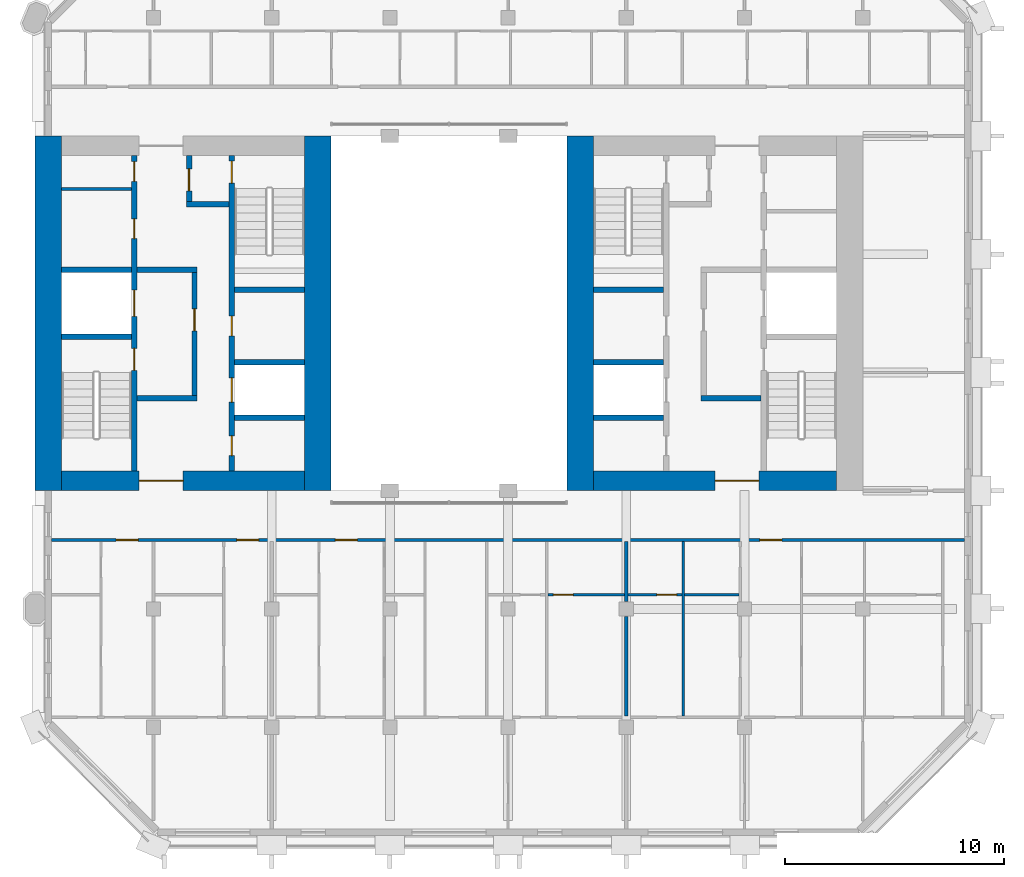
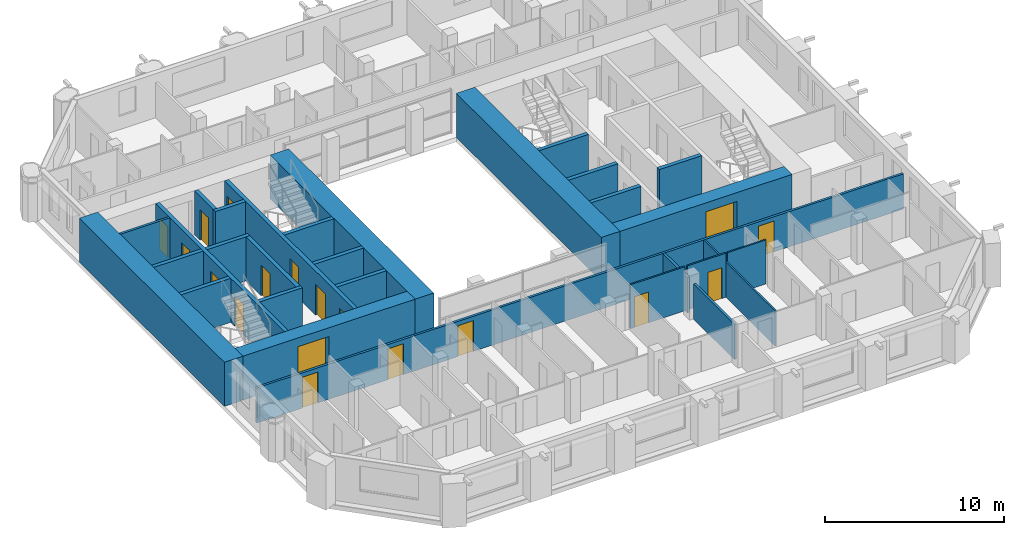
# One storey, part 7 of 14: 29 walls, 18 doors, 18 openings.
"""IFC4 building model written with IfcOpenShell, lengths in metres."""

from ifc_helpers import new_model, si_unit, direction, frame, frame_2d, origin, place, context, subcontext, project, spatial, rectangle, extrude, material, layer, layer_set, type_object, element, fill, save


model = new_model("IFC4")

# Units and contexts
model_context = context("Model", 3, precision=1e-05, world=origin(), true_north=direction((0.0, 1.0)))
body_context = subcontext(model_context, "Body", "Model", "MODEL_VIEW")
ifc_project = project(units=[si_unit("LENGTHUNIT", "METRE"), si_unit("AREAUNIT", "SQUARE_METRE"), si_unit("VOLUMEUNIT", "CUBIC_METRE"), si_unit("PLANEANGLEUNIT", "RADIAN"), si_unit("MASSUNIT", "GRAM", prefix="KILO")], contexts=[model_context])

# Site, building, storey
site_placement = place(None, origin())
site = spatial("IfcSite", under=ifc_project, at=site_placement, CompositionType="ELEMENT")
building_placement = place(site_placement, origin())
building = spatial("IfcBuilding", under=site, at=building_placement, Name="Tabaq Tower and Sports Hall", CompositionType="ELEMENT")
storey_placement = place(building_placement, frame((0.0, 0.0, 285.10009765625)))
storey = spatial("IfcBuildingStorey", under=building, at=storey_placement, Name="L70", CompositionType="ELEMENT", Elevation=285.10009765625)

# Walls
ifc_material_1 = material(Name="Blockwork", Category="masonry")
ifc_layer_1 = layer(ifc_material_1, 0.14990234375)
ifc_layer_set_1 = layer_set([ifc_layer_1], Name="Core room partition 150 Blockwork")
wall_type_1 = type_object("IfcWallType", Name="Core room partition 150 Blockwork", PredefinedType="PARTITIONING", material=ifc_layer_set_1)
wall_1_placement = place(storey_placement, frame((6.60009765625, 29.97705078125, 0.0), z_axis=(0.0, 0.0, 1.0), x_axis=(1.0, 0.0, 0.0)))
element("IfcWall", 1, at=wall_1_placement, inside=storey, type_object=wall_type_1, Name="Core room partition W L70", PredefinedType="PARTITIONING", context=body_context, shape_type="SweptSolid", body=[
    extrude(rectangle(XDim=3.199951171875, YDim=0.14990234375, at=frame_2d((1.60009765625, 0.0))), origin(), (0.0, 0.0, 1.0), 3.0),
])
ifc_material_2 = material(Name="Concrete C40/50", Category="concrete")
ifc_layer_2 = layer(ifc_material_2, 1.199951171875)
ifc_layer_set_2 = layer_set([ifc_layer_2], Name="Core wall 1200 Concrete C40/50")
wall_type_2 = type_object("IfcWallType", Name="Core wall 1200 Concrete C40/50", PredefinedType="SOLIDWALL", material=ifc_layer_set_2)
for number, where, z_axis, x_axis, name in (
    (2, (6.0, 16.199951171875, 0.0), (0.0, 0.0, 1.0), (0.0, 1.0, 0.0), "Core wall W L70"),
    (3, (18.300048828125, 32.39990234375, 0.0), (0.0, 0.0, 1.0), (0.0, -1.0, 0.0), "Core wall W L70"),
    (4, (30.300048828125, 16.199951171875, 0.0), (0.0, 0.0, 1.0), (0.0, 1.0, 0.0), "Core wall E L70"),
):
    element("IfcWall", number, at=place(storey_placement, frame(where, z_axis=z_axis, x_axis=x_axis)), inside=storey, type_object=wall_type_2, Name=name, PredefinedType="SOLIDWALL", context=body_context, shape_type="SweptSolid", body=[
        extrude(rectangle(XDim=16.199951171875, YDim=1.199951171875, at=frame_2d((8.10009765625, 0.0))), origin(), (0.0, 0.0, 1.0), 3.0),
    ])

# Wall, opening, door
ifc_material_3 = material(Name="Concrete C40/50", Category="concrete")
ifc_layer_3 = layer(ifc_material_3, 0.89990234375)
ifc_layer_set_3 = layer_set([ifc_layer_3], Name="Core wall 900 Concrete C40/50")
wall_type_3 = type_object("IfcWallType", Name="Core wall 900 Concrete C40/50", PredefinedType="SOLIDWALL", material=ifc_layer_set_3)
wall_2_placement = place(storey_placement, frame((17.699951171875, 16.64990234375, 0.0), z_axis=(0.0, 0.0, 1.0), x_axis=(-1.0, 0.0, 0.0)))
wall_2 = element("IfcWall", 5, at=wall_2_placement, inside=storey, type_object=wall_type_3, Name="Core wall W L70", PredefinedType="SOLIDWALL", context=body_context, shape_type="SweptSolid", body=[
    extrude(rectangle(XDim=11.099853515625, YDim=0.89990234375, at=frame_2d((5.5498046875, 0.0))), origin(), (0.0, 0.0, 1.0), 3.0),
])
opening_1_placement = place(wall_2_placement, frame((5.550048828125, 0.0, 0.0)))
opening_1 = element("IfcOpeningElement", 6, at=opening_1_placement, cuts=wall_2, Name="Opening PD-WL70-01", PredefinedType="OPENING", context=body_context, shape_type="SweptSolid", body=[
    extrude(rectangle(XDim=2.0, YDim=2.39990234375, at=frame_2d((1.0, 1.199951171875))), frame((0.0, 0.449951171875, 0.0), z_axis=(0.0, -1.0, 0.0), x_axis=(1.0, 0.0, 0.0)), (0.0, 0.0, 1.0), 0.89990234375),
])
ifc_material_4 = material(Name="Steel fire door", Category="steel")
door_type_1 = type_object("IfcDoorType", Name="Core entrance door 2000", OperationType="DOUBLE_DOOR_SINGLE_SWING", PredefinedType="DOOR", material=ifc_material_4)
door_1_placement = place(opening_1_placement, origin())
door_1 = element("IfcDoor", 7, at=door_1_placement, inside=storey, type_object=door_type_1, Name="Core entrance south W L70", OperationType="DOUBLE_DOOR_SINGLE_SWING", OverallHeight=2.39990234375, OverallWidth=2.0, PredefinedType="DOOR", context=body_context, shape_type="SweptSolid", body=[
    extrude(rectangle(XDim=2.0, YDim=2.39990234375, at=frame_2d((1.0, 1.199951171875))), frame((0.0, 0.02490234375, 0.0), z_axis=(0.0, -1.0, 0.0), x_axis=(1.0, 0.0, 0.0)), (0.0, 0.0, 1.0), 0.050048828125),
])
fill(opening_1, door_1)

wall_3_placement = place(storey_placement, frame((42.0, 16.64990234375, 0.0), z_axis=(0.0, 0.0, 1.0), x_axis=(-1.0, 0.0, 0.0)))
wall_3 = element("IfcWall", 8, at=wall_3_placement, inside=storey, type_object=wall_type_3, Name="Core wall E L70", PredefinedType="SOLIDWALL", context=body_context, shape_type="SweptSolid", body=[
    extrude(rectangle(XDim=11.10009765625, YDim=0.89990234375, at=frame_2d((5.550048828125, 0.0))), origin(), (0.0, 0.0, 1.0), 3.0),
])
opening_2_placement = place(wall_3_placement, frame((3.550048828125, 0.0, 0.0)))
opening_2 = element("IfcOpeningElement", 9, at=opening_2_placement, cuts=wall_3, Name="Opening PD-EL70-01", PredefinedType="OPENING", context=body_context, shape_type="SweptSolid", body=[
    extrude(rectangle(XDim=2.0, YDim=2.39990234375, at=frame_2d((1.0, 1.199951171875))), frame((0.0, 0.449951171875, 0.0), z_axis=(0.0, -1.0, 0.0), x_axis=(1.0, 0.0, 0.0)), (0.0, 0.0, 1.0), 0.89990234375),
])
door_2_placement = place(opening_2_placement, origin())
door_2 = element("IfcDoor", 10, at=door_2_placement, inside=storey, type_object=door_type_1, Name="Core entrance south E L70", OperationType="DOUBLE_DOOR_SINGLE_SWING", OverallHeight=2.39990234375, OverallWidth=2.0, PredefinedType="DOOR", context=body_context, shape_type="SweptSolid", body=[
    extrude(rectangle(XDim=2.0, YDim=2.39990234375, at=frame_2d((1.0, 1.199951171875))), frame((0.0, 0.02490234375, 0.0), z_axis=(0.0, -1.0, 0.0), x_axis=(1.0, 0.0, 0.0)), (0.0, 0.0, 1.0), 0.050048828125),
])
fill(opening_2, door_2)

ifc_material_5 = material(Name="Gypsum board on steel studs", Category="steel")
ifc_layer_4 = layer(ifc_material_5, 0.10009765625)
ifc_layer_set_4 = layer_set([ifc_layer_4], Name="Partition 100 Gypsum board")
wall_type_4 = type_object("IfcWallType", Name="Partition 100 Gypsum board", PredefinedType="PARTITIONING", material=ifc_layer_set_4)
wall_4_placement = place(storey_placement, frame((32.324951171875, 11.449951171875, 0.0), z_axis=(0.0, 0.0, 1.0), x_axis=(-1.0, 0.0, 0.0)))
wall_4 = element("IfcWall", 11, at=wall_4_placement, inside=storey, type_object=wall_type_4, Name="Partition wall L70", PredefinedType="PARTITIONING", context=body_context, shape_type="SweptSolid", body=[
    extrude(rectangle(XDim=3.512939453125, YDim=0.10009765625, at=frame_2d((1.75634765625, 0.0))), origin(), (0.0, 0.0, 1.0), 3.0),
])
opening_3_placement = place(wall_4_placement, frame((2.35498046875, 0.0, 0.0)))
opening_3 = element("IfcOpeningElement", 12, at=opening_3_placement, cuts=wall_4, Name="Opening L70-020", PredefinedType="OPENING", context=body_context, shape_type="SweptSolid", body=[
    extrude(rectangle(XDim=0.89990234375, YDim=2.10009765625, at=frame_2d((0.449951171875, 1.050048828125))), frame((0.0, 0.050048828125, 0.0), z_axis=(0.0, -1.0, 0.0), x_axis=(1.0, 0.0, 0.0)), (0.0, 0.0, 1.0), 0.10009765625),
])
ifc_material_6 = material(Name="Timber leaf in steel frame", Category="steel")
door_type_2 = type_object("IfcDoorType", Name="Internal door 900 left hand", OperationType="SINGLE_SWING_LEFT", PredefinedType="DOOR", material=ifc_material_6)
door_3_placement = place(opening_3_placement, origin())
door_3 = element("IfcDoor", 13, at=door_3_placement, inside=storey, type_object=door_type_2, Name="Internal door L70-020", OperationType="SINGLE_SWING_LEFT", OverallHeight=2.10009765625, OverallWidth=0.89990234375, PredefinedType="DOOR", context=body_context, shape_type="SweptSolid", body=[
    extrude(rectangle(XDim=0.89990234375, YDim=2.10009765625, at=frame_2d((0.449951171875, 1.050048828125))), frame((0.0, 0.02490234375, 0.0), z_axis=(0.0, -1.0, 0.0), x_axis=(1.0, 0.0, 0.0)), (0.0, 0.0, 1.0), 0.050048828125),
])
fill(opening_3, door_3)

wall_5_placement = place(storey_placement, frame((34.949951171875, 11.449951171875, 0.0), z_axis=(0.0, 0.0, 1.0), x_axis=(-1.0, 0.0, 0.0)))
wall_5 = element("IfcWall", 14, at=wall_5_placement, inside=storey, type_object=wall_type_4, Name="Partition wall L70", PredefinedType="PARTITIONING", context=body_context, shape_type="SweptSolid", body=[
    extrude(rectangle(XDim=2.474853515625, YDim=0.10009765625, at=frame_2d((1.2373046875, 0.0))), origin(), (0.0, 0.0, 1.0), 3.0),
])
opening_4_placement = place(wall_5_placement, frame((0.25, 0.0, 0.0)))
opening_4 = element("IfcOpeningElement", 15, at=opening_4_placement, cuts=wall_5, Name="Opening L70-021", PredefinedType="OPENING", context=body_context, shape_type="SweptSolid", body=[
    extrude(rectangle(XDim=0.89990234375, YDim=2.10009765625, at=frame_2d((0.449951171875, 1.050048828125))), frame((0.0, 0.050048828125, 0.0), z_axis=(0.0, -1.0, 0.0), x_axis=(1.0, 0.0, 0.0)), (0.0, 0.0, 1.0), 0.10009765625),
])
ifc_material_7 = material(Name="Timber leaf in steel frame", Category="steel")
door_type_3 = type_object("IfcDoorType", Name="Internal door 900 right hand", OperationType="SINGLE_SWING_RIGHT", PredefinedType="DOOR", material=ifc_material_7)
door_4_placement = place(opening_4_placement, origin())
door_4 = element("IfcDoor", 16, at=door_4_placement, inside=storey, type_object=door_type_3, Name="Internal door L70-021", OperationType="SINGLE_SWING_RIGHT", OverallHeight=2.10009765625, OverallWidth=0.89990234375, PredefinedType="DOOR", context=body_context, shape_type="SweptSolid", body=[
    extrude(rectangle(XDim=0.89990234375, YDim=2.10009765625, at=frame_2d((0.449951171875, 1.050048828125))), frame((0.0, 0.02490234375, 0.0), z_axis=(0.0, -1.0, 0.0), x_axis=(1.0, 0.0, 0.0)), (0.0, 0.0, 1.0), 0.050048828125),
])
fill(opening_4, door_4)

# Walls
wall_6_placement = place(storey_placement, frame((35.0, 5.89990234375, 0.0), z_axis=(0.0, 0.0, 1.0), x_axis=(0.0, 1.0, 0.0)))
element("IfcWall", 17, at=wall_6_placement, inside=storey, type_object=wall_type_4, Name="Partition wall L70", PredefinedType="PARTITIONING", context=body_context, shape_type="SweptSolid", body=[
    extrude(rectangle(XDim=7.97509765625, YDim=0.10009765625, at=frame_2d((3.987548828125, 0.0))), origin(), (0.0, 0.0, 1.0), 2.39990234375),
])
wall_7_placement = place(storey_placement, frame((37.552001953125, 11.449951171875, 0.0), z_axis=(0.0, 0.0, 1.0), x_axis=(-1.0, 0.0, 0.0)))
element("IfcWall", 18, at=wall_7_placement, inside=storey, type_object=wall_type_4, Name="Partition wall L70", PredefinedType="PARTITIONING", context=body_context, shape_type="SweptSolid", body=[
    extrude(rectangle(XDim=2.501953125, YDim=0.10009765625, at=frame_2d((1.2509765625, 0.0))), origin(), (0.0, 0.0, 1.0), 3.0),
])
ifc_material_8 = material(Name="Blockwork", Category="masonry")
ifc_layer_5 = layer(ifc_material_8, 0.14990234375)
ifc_layer_set_5 = layer_set([ifc_layer_5], Name="Separating wall 150 Blockwork")
wall_type_5 = type_object("IfcWallType", Name="Separating wall 150 Blockwork", PredefinedType="PARTITIONING", material=ifc_layer_set_5)
wall_8_placement = place(storey_placement, frame((32.39990234375, 5.89990234375, 0.0), z_axis=(0.0, 0.0, 1.0), x_axis=(0.0, 1.0, 0.0)))
element("IfcWall", 19, at=wall_8_placement, inside=storey, type_object=wall_type_5, Name="Separating wall L70", PredefinedType="PARTITIONING", context=body_context, shape_type="SweptSolid", body=[
    extrude(rectangle(XDim=4.55517578125, YDim=0.14990234375, at=frame_2d((2.277587890625, 0.0))), origin(), (0.0, 0.0, 1.0), 2.39990234375),
])
wall_9_placement = place(storey_placement, frame((32.39990234375, 11.14501953125, 0.0), z_axis=(0.0, 0.0, 1.0), x_axis=(0.0, 1.0, 0.0)))
element("IfcWall", 20, at=wall_9_placement, inside=storey, type_object=wall_type_5, Name="Separating wall L70", PredefinedType="PARTITIONING", context=body_context, shape_type="SweptSolid", body=[
    extrude(rectangle(XDim=2.72998046875, YDim=0.14990234375, at=frame_2d((1.364990234375, 0.0))), origin(), (0.0, 0.0, 1.0), 2.39990234375),
])

# Wall, openings, doors
wall_10_placement = place(storey_placement, frame((47.84912109375, 13.949951171875, 0.0), z_axis=(0.0, 0.0, 1.0), x_axis=(-1.0, 0.0, 0.0)))
wall_10 = element("IfcWall", 21, at=wall_10_placement, inside=storey, type_object=wall_type_5, Name="Separating wall L70", PredefinedType="PARTITIONING", context=body_context, shape_type="SweptSolid", body=[
    extrude(rectangle(XDim=41.6982421875, YDim=0.14990234375, at=frame_2d((20.84912109375, 0.0))), origin(), (0.0, 0.0, 1.0), 2.39990234375),
])
opening_5_placement = place(wall_10_placement, frame((37.7490234375, 0.0, 0.0)))
opening_5 = element("IfcOpeningElement", 22, at=opening_5_placement, cuts=wall_10, Name="Opening L70-058", PredefinedType="OPENING", context=body_context, shape_type="SweptSolid", body=[
    extrude(rectangle(XDim=1.0, YDim=2.10009765625, at=frame_2d((0.5, 1.050048828125))), frame((0.0, 0.074951171875, 0.0), z_axis=(0.0, -1.0, 0.0), x_axis=(1.0, 0.0, 0.0)), (0.0, 0.0, 1.0), 0.14990234375),
])
opening_6_placement = place(wall_10_placement, frame((32.243896484375, 0.0, 0.0)))
opening_6 = element("IfcOpeningElement", 23, at=opening_6_placement, cuts=wall_10, Name="Opening L70-059", PredefinedType="OPENING", context=body_context, shape_type="SweptSolid", body=[
    extrude(rectangle(XDim=1.0, YDim=2.10009765625, at=frame_2d((0.5, 1.050048828125))), frame((0.0, 0.074951171875, 0.0), z_axis=(0.0, -1.0, 0.0), x_axis=(1.0, 0.0, 0.0)), (0.0, 0.0, 1.0), 0.14990234375),
])
opening_7_placement = place(wall_10_placement, frame((27.735107421875, 0.0, 0.0)))
opening_7 = element("IfcOpeningElement", 24, at=opening_7_placement, cuts=wall_10, Name="Opening L70-061", PredefinedType="OPENING", context=body_context, shape_type="SweptSolid", body=[
    extrude(rectangle(XDim=1.0, YDim=2.10009765625, at=frame_2d((0.5, 1.050048828125))), frame((0.0, 0.074951171875, 0.0), z_axis=(0.0, -1.0, 0.0), x_axis=(1.0, 0.0, 0.0)), (0.0, 0.0, 1.0), 0.14990234375),
])
opening_8_placement = place(wall_10_placement, frame((8.346923828125, 0.0, 0.0)))
opening_8 = element("IfcOpeningElement", 25, at=opening_8_placement, cuts=wall_10, Name="Opening L70-062", PredefinedType="OPENING", context=body_context, shape_type="SweptSolid", body=[
    extrude(rectangle(XDim=1.0, YDim=2.10009765625, at=frame_2d((0.5, 1.050048828125))), frame((0.0, 0.074951171875, 0.0), z_axis=(0.0, -1.0, 0.0), x_axis=(1.0, 0.0, 0.0)), (0.0, 0.0, 1.0), 0.14990234375),
])
ifc_material_9 = material(Name="Steel fire door", Category="steel")
door_type_4 = type_object("IfcDoorType", Name="Entrance door 1000 left hand", OperationType="SINGLE_SWING_LEFT", PredefinedType="DOOR", material=ifc_material_9)
door_5_placement = place(opening_5_placement, origin())
door_5 = element("IfcDoor", 26, at=door_5_placement, inside=storey, type_object=door_type_4, Name="Entrance door L70-058", OperationType="SINGLE_SWING_LEFT", OverallHeight=2.10009765625, OverallWidth=1.0, PredefinedType="DOOR", context=body_context, shape_type="SweptSolid", body=[
    extrude(rectangle(XDim=1.0, YDim=2.10009765625, at=frame_2d((0.5, 1.050048828125))), frame((0.0, 0.02490234375, 0.0), z_axis=(0.0, -1.0, 0.0), x_axis=(1.0, 0.0, 0.0)), (0.0, 0.0, 1.0), 0.050048828125),
])
fill(opening_5, door_5)
door_6_placement = place(opening_6_placement, origin())
door_6 = element("IfcDoor", 27, at=door_6_placement, inside=storey, type_object=door_type_4, Name="Entrance door L70-059", OperationType="SINGLE_SWING_LEFT", OverallHeight=2.10009765625, OverallWidth=1.0, PredefinedType="DOOR", context=body_context, shape_type="SweptSolid", body=[
    extrude(rectangle(XDim=1.0, YDim=2.10009765625, at=frame_2d((0.5, 1.050048828125))), frame((0.0, 0.02490234375, 0.0), z_axis=(0.0, -1.0, 0.0), x_axis=(1.0, 0.0, 0.0)), (0.0, 0.0, 1.0), 0.050048828125),
])
fill(opening_6, door_6)
door_7_placement = place(opening_8_placement, origin())
door_7 = element("IfcDoor", 28, at=door_7_placement, inside=storey, type_object=door_type_4, Name="Entrance door L70-062", OperationType="SINGLE_SWING_LEFT", OverallHeight=2.10009765625, OverallWidth=1.0, PredefinedType="DOOR", context=body_context, shape_type="SweptSolid", body=[
    extrude(rectangle(XDim=1.0, YDim=2.10009765625, at=frame_2d((0.5, 1.050048828125))), frame((0.0, 0.02490234375, 0.0), z_axis=(0.0, -1.0, 0.0), x_axis=(1.0, 0.0, 0.0)), (0.0, 0.0, 1.0), 0.050048828125),
])
fill(opening_8, door_7)
ifc_material_10 = material(Name="Steel fire door", Category="steel")
door_type_5 = type_object("IfcDoorType", Name="Entrance door 1000 right hand", OperationType="SINGLE_SWING_RIGHT", PredefinedType="DOOR", material=ifc_material_10)
door_8_placement = place(opening_7_placement, origin())
door_8 = element("IfcDoor", 29, at=door_8_placement, inside=storey, type_object=door_type_5, Name="Entrance door L70-061", OperationType="SINGLE_SWING_RIGHT", OverallHeight=2.10009765625, OverallWidth=1.0, PredefinedType="DOOR", context=body_context, shape_type="SweptSolid", body=[
    extrude(rectangle(XDim=1.0, YDim=2.10009765625, at=frame_2d((0.5, 1.050048828125))), frame((0.0, 0.02490234375, 0.0), z_axis=(0.0, -1.0, 0.0), x_axis=(1.0, 0.0, 0.0)), (0.0, 0.0, 1.0), 0.050048828125),
])
fill(opening_7, door_8)

ifc_material_11 = material(Name="Concrete C40/50", Category="concrete")
ifc_layer_6 = layer(ifc_material_11, 0.25)
ifc_layer_set_6 = layer_set([ifc_layer_6], Name="Shaft and stair wall 250 Concrete C40/50")
wall_type_6 = type_object("IfcWallType", Name="Shaft and stair wall 250 Concrete C40/50", PredefinedType="SOLIDWALL", material=ifc_layer_set_6)
wall_11_placement = place(storey_placement, frame((9.925048828125, 17.10009765625, 0.0), z_axis=(0.0, 0.0, 1.0), x_axis=(0.0, 1.0, 0.0)))
wall_11 = element("IfcWall", 30, at=wall_11_placement, inside=storey, type_object=wall_type_6, Name="Shaft wall W L70", PredefinedType="SOLIDWALL", context=body_context, shape_type="SweptSolid", body=[
    extrude(rectangle(XDim=14.39990234375, YDim=0.25, at=frame_2d((7.199951171875, 0.0))), origin(), (0.0, 0.0, 1.0), 3.0),
])
opening_9_placement = place(wall_11_placement, frame((4.60009765625, 0.0, 0.0)))
opening_9 = element("IfcOpeningElement", 31, at=opening_9_placement, cuts=wall_11, Name="Opening SD-WL70-03", PredefinedType="OPENING", context=body_context, shape_type="SweptSolid", body=[
    extrude(rectangle(XDim=1.0, YDim=2.10009765625, at=frame_2d((0.5, 1.050048828125))), frame((0.0, 0.125, 0.0), z_axis=(0.0, -1.0, 0.0), x_axis=(1.0, 0.0, 0.0)), (0.0, 0.0, 1.0), 0.25),
])
opening_10_placement = place(wall_11_placement, frame((7.0625, 0.0, 0.0)))
opening_10 = element("IfcOpeningElement", 32, at=opening_10_placement, cuts=wall_11, Name="Opening LD-FF1-L70", PredefinedType="OPENING", context=body_context, shape_type="SweptSolid", body=[
    extrude(rectangle(XDim=1.199951171875, YDim=2.10009765625, at=frame_2d((0.60009765625, 1.050048828125))), frame((0.0, 0.125, 0.0), z_axis=(0.0, -1.0, 0.0), x_axis=(1.0, 0.0, 0.0)), (0.0, 0.0, 1.0), 0.25),
])
opening_11_placement = place(wall_11_placement, frame((10.613525390625, 0.0, 0.0)))
opening_11 = element("IfcOpeningElement", 33, at=opening_11_placement, cuts=wall_11, Name="Opening RD-WL70-09", PredefinedType="OPENING", context=body_context, shape_type="SweptSolid", body=[
    extrude(rectangle(XDim=0.89990234375, YDim=2.10009765625, at=frame_2d((0.449951171875, 1.050048828125))), frame((0.0, 0.125, 0.0), z_axis=(0.0, -1.0, 0.0), x_axis=(1.0, 0.0, 0.0)), (0.0, 0.0, 1.0), 0.25),
])
opening_12_placement = place(wall_11_placement, frame((13.22607421875, 0.0, 0.0)))
opening_12 = element("IfcOpeningElement", 34, at=opening_12_placement, cuts=wall_11, Name="Opening RD-WL70-10", PredefinedType="OPENING", context=body_context, shape_type="SweptSolid", body=[
    extrude(rectangle(XDim=0.89990234375, YDim=2.10009765625, at=frame_2d((0.449951171875, 1.050048828125))), frame((0.0, 0.125, 0.0), z_axis=(0.0, -1.0, 0.0), x_axis=(1.0, 0.0, 0.0)), (0.0, 0.0, 1.0), 0.25),
])
ifc_material_12 = material(Name="Steel fire door", Category="steel")
door_type_6 = type_object("IfcDoorType", Name="Core room door 900", OperationType="SINGLE_SWING_LEFT", PredefinedType="DOOR", material=ifc_material_12)
door_9_placement = place(opening_11_placement, origin())
door_9 = element("IfcDoor", 35, at=door_9_placement, inside=storey, type_object=door_type_6, Name="Door Comms Room W L70", OperationType="SINGLE_SWING_LEFT", OverallHeight=2.10009765625, OverallWidth=0.89990234375, PredefinedType="DOOR", context=body_context, shape_type="SweptSolid", body=[
    extrude(rectangle(XDim=0.89990234375, YDim=2.10009765625, at=frame_2d((0.449951171875, 1.050048828125))), frame((0.0, 0.02490234375, 0.0), z_axis=(0.0, -1.0, 0.0), x_axis=(1.0, 0.0, 0.0)), (0.0, 0.0, 1.0), 0.050048828125),
])
fill(opening_11, door_9)
door_10_placement = place(opening_12_placement, origin())
door_10 = element("IfcDoor", 36, at=door_10_placement, inside=storey, type_object=door_type_6, Name="Door Electrical Room W L70", OperationType="SINGLE_SWING_LEFT", OverallHeight=2.10009765625, OverallWidth=0.89990234375, PredefinedType="DOOR", context=body_context, shape_type="SweptSolid", body=[
    extrude(rectangle(XDim=0.89990234375, YDim=2.10009765625, at=frame_2d((0.449951171875, 1.050048828125))), frame((0.0, 0.02490234375, 0.0), z_axis=(0.0, -1.0, 0.0), x_axis=(1.0, 0.0, 0.0)), (0.0, 0.0, 1.0), 0.050048828125),
])
fill(opening_12, door_10)
ifc_material_13 = material(Name="Stainless steel", Category="steel")
door_type_7 = type_object("IfcDoorType", Name="Lift landing door 1200", OperationType="DOUBLE_DOOR_SLIDING", PredefinedType="DOOR", material=ifc_material_13)
door_11_placement = place(opening_10_placement, origin())
door_11 = element("IfcDoor", 37, at=door_11_placement, inside=storey, type_object=door_type_7, Name="Lift landing door FF1 W L70", OperationType="DOUBLE_DOOR_SLIDING", OverallHeight=2.10009765625, OverallWidth=1.199951171875, PredefinedType="DOOR", context=body_context, shape_type="SweptSolid", body=[
    extrude(rectangle(XDim=1.199951171875, YDim=2.10009765625, at=frame_2d((0.60009765625, 1.050048828125))), frame((0.0, 0.02490234375, 0.0), z_axis=(0.0, -1.0, 0.0), x_axis=(1.0, 0.0, 0.0)), (0.0, 0.0, 1.0), 0.050048828125),
])
fill(opening_10, door_11)
ifc_material_14 = material(Name="Steel fire door", Category="steel")
door_type_8 = type_object("IfcDoorType", Name="Stair door 1000", OperationType="SINGLE_SWING_LEFT", PredefinedType="DOOR", material=ifc_material_14)
door_12_placement = place(opening_9_placement, origin())
door_12 = element("IfcDoor", 38, at=door_12_placement, inside=storey, type_object=door_type_8, Name="Stair door ST1 W L70", OperationType="SINGLE_SWING_LEFT", OverallHeight=2.10009765625, OverallWidth=1.0, PredefinedType="DOOR", context=body_context, shape_type="SweptSolid", body=[
    extrude(rectangle(XDim=1.0, YDim=2.10009765625, at=frame_2d((0.5, 1.050048828125))), frame((0.0, 0.02490234375, 0.0), z_axis=(0.0, -1.0, 0.0), x_axis=(1.0, 0.0, 0.0)), (0.0, 0.0, 1.0), 0.050048828125),
])
fill(opening_9, door_12)

wall_12_placement = place(storey_placement, frame((14.375, 17.10009765625, 0.0), z_axis=(0.0, 0.0, 1.0), x_axis=(0.0, 1.0, 0.0)))
wall_12 = element("IfcWall", 39, at=wall_12_placement, inside=storey, type_object=wall_type_6, Name="Shaft wall W L70", PredefinedType="SOLIDWALL", context=body_context, shape_type="SweptSolid", body=[
    extrude(rectangle(XDim=14.39990234375, YDim=0.25, at=frame_2d((7.199951171875, 0.0))), origin(), (0.0, 0.0, 1.0), 3.0),
])
opening_13_placement = place(wall_12_placement, frame((13.14990234375, 0.0, 0.0)))
opening_13 = element("IfcOpeningElement", 40, at=opening_13_placement, cuts=wall_12, Name="Opening SD-WL70-05", PredefinedType="OPENING", context=body_context, shape_type="SweptSolid", body=[
    extrude(rectangle(XDim=1.0, YDim=2.10009765625, at=frame_2d((0.5, 1.050048828125))), frame((0.0, 0.125, 0.0), z_axis=(0.0, -1.0, 0.0), x_axis=(1.0, 0.0, 0.0)), (0.0, 0.0, 1.0), 0.25),
])
opening_14_placement = place(wall_12_placement, frame((3.14990234375, 0.0, 0.0)))
opening_14 = element("IfcOpeningElement", 41, at=opening_14_placement, cuts=wall_12, Name="Opening LD-HR1-L70", PredefinedType="OPENING", context=body_context, shape_type="SweptSolid", body=[
    extrude(rectangle(XDim=1.10009765625, YDim=2.10009765625, at=frame_2d((0.550048828125, 1.050048828125))), frame((0.0, 0.125, 0.0), z_axis=(0.0, -1.0, 0.0), x_axis=(1.0, 0.0, 0.0)), (0.0, 0.0, 1.0), 0.25),
])
opening_15_placement = place(wall_12_placement, frame((0.699951171875, 0.0, 0.0)))
opening_15 = element("IfcOpeningElement", 42, at=opening_15_placement, cuts=wall_12, Name="Opening RD-WL70-11", PredefinedType="OPENING", context=body_context, shape_type="SweptSolid", body=[
    extrude(rectangle(XDim=0.89990234375, YDim=2.10009765625, at=frame_2d((0.449951171875, 1.050048828125))), frame((0.0, 0.125, 0.0), z_axis=(0.0, -1.0, 0.0), x_axis=(1.0, 0.0, 0.0)), (0.0, 0.0, 1.0), 0.25),
])
opening_16_placement = place(wall_12_placement, frame((6.175048828125, 0.0, 0.0)))
opening_16 = element("IfcOpeningElement", 43, at=opening_16_placement, cuts=wall_12, Name="Opening RD-WL70-12", PredefinedType="OPENING", context=body_context, shape_type="SweptSolid", body=[
    extrude(rectangle(XDim=0.89990234375, YDim=2.10009765625, at=frame_2d((0.449951171875, 1.050048828125))), frame((0.0, 0.125, 0.0), z_axis=(0.0, -1.0, 0.0), x_axis=(1.0, 0.0, 0.0)), (0.0, 0.0, 1.0), 0.25),
])
door_13_placement = place(opening_15_placement, origin())
door_13 = element("IfcDoor", 44, at=door_13_placement, inside=storey, type_object=door_type_6, Name="Door Electrical Riser Room W L70", OperationType="SINGLE_SWING_LEFT", OverallHeight=2.10009765625, OverallWidth=0.89990234375, PredefinedType="DOOR", context=body_context, shape_type="SweptSolid", body=[
    extrude(rectangle(XDim=0.89990234375, YDim=2.10009765625, at=frame_2d((0.449951171875, 1.050048828125))), frame((0.0, 0.02490234375, 0.0), z_axis=(0.0, -1.0, 0.0), x_axis=(1.0, 0.0, 0.0)), (0.0, 0.0, 1.0), 0.050048828125),
])
fill(opening_15, door_13)
door_14_placement = place(opening_16_placement, origin())
door_14 = element("IfcDoor", 45, at=door_14_placement, inside=storey, type_object=door_type_6, Name="Door Riser Room W L70", OperationType="SINGLE_SWING_LEFT", OverallHeight=2.10009765625, OverallWidth=0.89990234375, PredefinedType="DOOR", context=body_context, shape_type="SweptSolid", body=[
    extrude(rectangle(XDim=0.89990234375, YDim=2.10009765625, at=frame_2d((0.449951171875, 1.050048828125))), frame((0.0, 0.02490234375, 0.0), z_axis=(0.0, -1.0, 0.0), x_axis=(1.0, 0.0, 0.0)), (0.0, 0.0, 1.0), 0.050048828125),
])
fill(opening_16, door_14)
ifc_material_15 = material(Name="Stainless steel", Category="steel")
door_type_9 = type_object("IfcDoorType", Name="Lift landing door 1100", OperationType="DOUBLE_DOOR_SLIDING", PredefinedType="DOOR", material=ifc_material_15)
door_15_placement = place(opening_14_placement, origin())
door_15 = element("IfcDoor", 46, at=door_15_placement, inside=storey, type_object=door_type_9, Name="Lift landing door HR1 W L70", OperationType="DOUBLE_DOOR_SLIDING", OverallHeight=2.10009765625, OverallWidth=1.10009765625, PredefinedType="DOOR", context=body_context, shape_type="SweptSolid", body=[
    extrude(rectangle(XDim=1.10009765625, YDim=2.10009765625, at=frame_2d((0.550048828125, 1.050048828125))), frame((0.0, 0.02490234375, 0.0), z_axis=(0.0, -1.0, 0.0), x_axis=(1.0, 0.0, 0.0)), (0.0, 0.0, 1.0), 0.050048828125),
])
fill(opening_14, door_15)
door_16_placement = place(opening_13_placement, origin())
door_16 = element("IfcDoor", 47, at=door_16_placement, inside=storey, type_object=door_type_8, Name="Stair door ST2 W L70", OperationType="SINGLE_SWING_LEFT", OverallHeight=2.10009765625, OverallWidth=1.0, PredefinedType="DOOR", context=body_context, shape_type="SweptSolid", body=[
    extrude(rectangle(XDim=1.0, YDim=2.10009765625, at=frame_2d((0.5, 1.050048828125))), frame((0.0, 0.02490234375, 0.0), z_axis=(0.0, -1.0, 0.0), x_axis=(1.0, 0.0, 0.0)), (0.0, 0.0, 1.0), 0.050048828125),
])
fill(opening_13, door_16)

# Walls
for number, where, z_axis, x_axis, name in (
    (48, (6.60009765625, 23.22509765625, 0.0), (0.0, 0.0, 1.0), (1.0, 0.0, 0.0), "Stair enclosure wall W L70"),
    (49, (14.5, 25.375, 0.0), (0.0, 0.0, 1.0), (1.0, 0.0, 0.0), "Stair enclosure wall W L70"),
    (50, (14.5, 22.074951171875, 0.0), (0.0, 0.0, 1.0), (1.0, 0.0, 0.0), "Shaft wall W L70"),
    (51, (6.60009765625, 26.300048828125, 0.0), (0.0, 0.0, 1.0), (1.0, 0.0, 0.0), "Shaft wall W L70"),
):
    element("IfcWall", number, at=place(storey_placement, frame(where, z_axis=z_axis, x_axis=x_axis)), inside=storey, type_object=wall_type_6, Name=name, PredefinedType="SOLIDWALL", context=body_context, shape_type="SweptSolid", body=[
        extrude(rectangle(XDim=3.199951171875, YDim=0.25, at=frame_2d((1.60009765625, 0.0))), origin(), (0.0, 0.0, 1.0), 3.0),
    ])
for number, where, z_axis, x_axis, name in (
    (52, (10.050048828125, 26.300048828125, 0.0), (0.0, 0.0, 1.0), (1.0, 0.0, 0.0), "Fire-fighting lobby wall W L70"),
    (53, (10.050048828125, 20.425048828125, 0.0), (0.0, 0.0, 1.0), (1.0, 0.0, 0.0), "Fire-fighting lobby wall W L70"),
):
    element("IfcWall", number, at=place(storey_placement, frame(where, z_axis=z_axis, x_axis=x_axis)), inside=storey, type_object=wall_type_6, Name=name, PredefinedType="SOLIDWALL", context=body_context, shape_type="SweptSolid", body=[
        extrude(rectangle(XDim=2.75, YDim=0.25, at=frame_2d((1.375, 0.0))), origin(), (0.0, 0.0, 1.0), 3.0),
    ])

# Wall, opening, door
wall_13_placement = place(storey_placement, frame((12.425048828125, 29.39990234375, 0.0), z_axis=(0.0, 0.0, 1.0), x_axis=(0.0, 1.0, 0.0)))
wall_13 = element("IfcWall", 54, at=wall_13_placement, inside=storey, type_object=wall_type_6, Name="Fire-fighting lobby wall W L70", PredefinedType="SOLIDWALL", context=body_context, shape_type="SweptSolid", body=[
    extrude(rectangle(XDim=2.10009765625, YDim=0.25, at=frame_2d((1.050048828125, 0.0))), origin(), (0.0, 0.0, 1.0), 3.0),
])
opening_17_placement = place(wall_13_placement, frame((0.5, 0.0, 0.0)))
opening_17 = element("IfcOpeningElement", 55, at=opening_17_placement, cuts=wall_13, Name="Opening FD-WL70-06", PredefinedType="OPENING", context=body_context, shape_type="SweptSolid", body=[
    extrude(rectangle(XDim=1.0, YDim=2.10009765625, at=frame_2d((0.5, 1.050048828125))), frame((0.0, 0.125, 0.0), z_axis=(0.0, -1.0, 0.0), x_axis=(1.0, 0.0, 0.0)), (0.0, 0.0, 1.0), 0.25),
])
ifc_material_16 = material(Name="Steel fire door", Category="steel")
door_type_10 = type_object("IfcDoorType", Name="Fire-fighting lobby door 1000", OperationType="SINGLE_SWING_LEFT", PredefinedType="DOOR", material=ifc_material_16)
door_17_placement = place(opening_17_placement, origin())
door_17 = element("IfcDoor", 56, at=door_17_placement, inside=storey, type_object=door_type_10, Name="Stair lobby door W L70", OperationType="SINGLE_SWING_LEFT", OverallHeight=2.10009765625, OverallWidth=1.0, PredefinedType="DOOR", context=body_context, shape_type="SweptSolid", body=[
    extrude(rectangle(XDim=1.0, YDim=2.10009765625, at=frame_2d((0.5, 1.050048828125))), frame((0.0, 0.02490234375, 0.0), z_axis=(0.0, -1.0, 0.0), x_axis=(1.0, 0.0, 0.0)), (0.0, 0.0, 1.0), 0.050048828125),
])
fill(opening_17, door_17)

# Wall
wall_14_placement = place(storey_placement, frame((12.300048828125, 29.27490234375, 0.0), z_axis=(0.0, 0.0, 1.0), x_axis=(1.0, 0.0, 0.0)))
element("IfcWall", 57, at=wall_14_placement, inside=storey, type_object=wall_type_6, Name="Fire-fighting lobby wall W L70", PredefinedType="SOLIDWALL", context=body_context, shape_type="SweptSolid", body=[
    extrude(rectangle(XDim=1.949951171875, YDim=0.25, at=frame_2d((0.97509765625, 0.0))), origin(), (0.0, 0.0, 1.0), 3.0),
])

# Wall, opening, door
wall_15_placement = place(storey_placement, frame((12.675048828125, 20.550048828125, 0.0), z_axis=(0.0, 0.0, 1.0), x_axis=(0.0, 1.0, 0.0)))
wall_15 = element("IfcWall", 58, at=wall_15_placement, inside=storey, type_object=wall_type_6, Name="Fire-fighting lobby wall W L70", PredefinedType="SOLIDWALL", context=body_context, shape_type="SweptSolid", body=[
    extrude(rectangle(XDim=5.625, YDim=0.25, at=frame_2d((2.8125, 0.0))), origin(), (0.0, 0.0, 1.0), 3.0),
])
opening_18_placement = place(wall_15_placement, frame((2.949951171875, 0.0, 0.0)))
opening_18 = element("IfcOpeningElement", 59, at=opening_18_placement, cuts=wall_15, Name="Opening FD-WL70-04", PredefinedType="OPENING", context=body_context, shape_type="SweptSolid", body=[
    extrude(rectangle(XDim=1.0, YDim=2.10009765625, at=frame_2d((0.5, 1.050048828125))), frame((0.0, 0.125, 0.0), z_axis=(0.0, -1.0, 0.0), x_axis=(1.0, 0.0, 0.0)), (0.0, 0.0, 1.0), 0.25),
])
door_18_placement = place(opening_18_placement, origin())
door_18 = element("IfcDoor", 60, at=door_18_placement, inside=storey, type_object=door_type_10, Name="Fire-fighting lobby door W L70", OperationType="SINGLE_SWING_LEFT", OverallHeight=2.10009765625, OverallWidth=1.0, PredefinedType="DOOR", context=body_context, shape_type="SweptSolid", body=[
    extrude(rectangle(XDim=1.0, YDim=2.10009765625, at=frame_2d((0.5, 1.050048828125))), frame((0.0, 0.02490234375, 0.0), z_axis=(0.0, -1.0, 0.0), x_axis=(1.0, 0.0, 0.0)), (0.0, 0.0, 1.0), 0.050048828125),
])
fill(opening_18, door_18)

# Walls
wall_16_placement = place(storey_placement, frame((14.5, 19.52490234375, 0.0), z_axis=(0.0, 0.0, 1.0), x_axis=(1.0, 0.0, 0.0)))
element("IfcWall", 61, at=wall_16_placement, inside=storey, type_object=wall_type_6, Name="Shaft wall W L70", PredefinedType="SOLIDWALL", context=body_context, shape_type="SweptSolid", body=[
    extrude(rectangle(XDim=3.199951171875, YDim=0.25, at=frame_2d((1.60009765625, 0.0))), origin(), (0.0, 0.0, 1.0), 3.0),
])
for number, where, z_axis, x_axis, name in (
    (62, (30.89990234375, 25.375, 0.0), (0.0, 0.0, 1.0), (1.0, 0.0, 0.0), "Stair enclosure wall E L70"),
    (63, (30.89990234375, 22.074951171875, 0.0), (0.0, 0.0, 1.0), (1.0, 0.0, 0.0), "Shaft wall E L70"),
):
    element("IfcWall", number, at=place(storey_placement, frame(where, z_axis=z_axis, x_axis=x_axis)), inside=storey, type_object=wall_type_6, Name=name, PredefinedType="SOLIDWALL", context=body_context, shape_type="SweptSolid", body=[
        extrude(rectangle(XDim=3.2001953125, YDim=0.25, at=frame_2d((1.60009765625, 0.0))), origin(), (0.0, 0.0, 1.0), 3.0),
    ])
wall_17_placement = place(storey_placement, frame((35.800048828125, 20.425048828125, 0.0), z_axis=(0.0, 0.0, 1.0), x_axis=(1.0, 0.0, 0.0)))
element("IfcWall", 64, at=wall_17_placement, inside=storey, type_object=wall_type_6, Name="Fire-fighting lobby wall E L70", PredefinedType="SOLIDWALL", context=body_context, shape_type="SweptSolid", body=[
    extrude(rectangle(XDim=2.75, YDim=0.25, at=frame_2d((1.375, 0.0))), origin(), (0.0, 0.0, 1.0), 3.0),
])
wall_18_placement = place(storey_placement, frame((30.89990234375, 19.52490234375, 0.0), z_axis=(0.0, 0.0, 1.0), x_axis=(1.0, 0.0, 0.0)))
element("IfcWall", 65, at=wall_18_placement, inside=storey, type_object=wall_type_6, Name="Shaft wall E L70", PredefinedType="SOLIDWALL", context=body_context, shape_type="SweptSolid", body=[
    extrude(rectangle(XDim=3.2001953125, YDim=0.25, at=frame_2d((1.60009765625, 0.0))), origin(), (0.0, 0.0, 1.0), 3.0),
])

save(model, "model.ifc")
